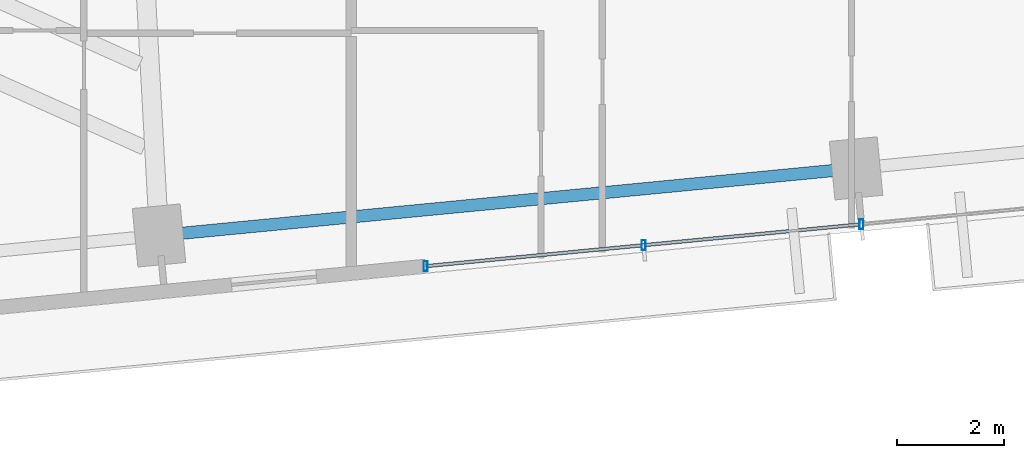
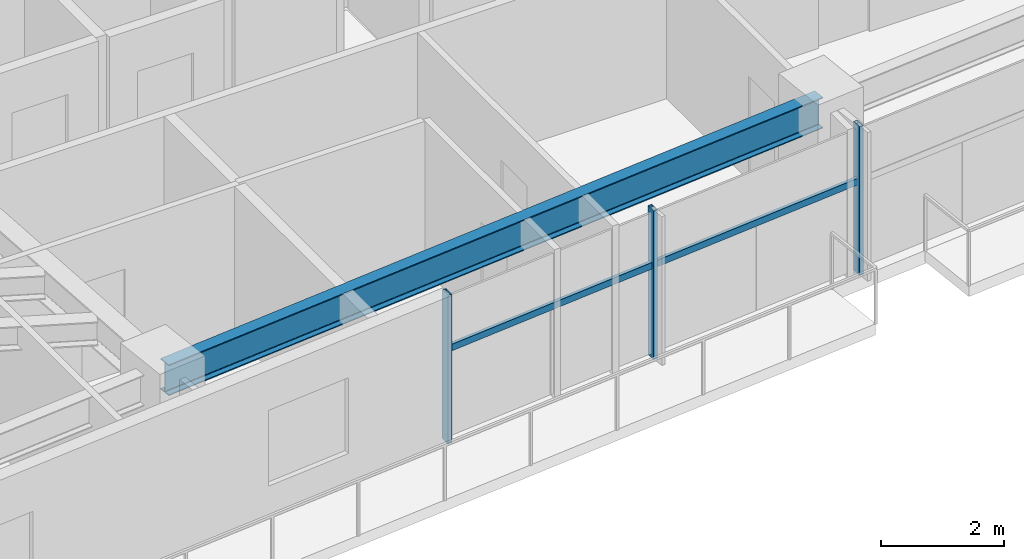
# One storey, part 6 of 25: 5 members, 1 beam, 1 element without a shape of its own.
"""IFC4 building model written with IfcOpenShell, lengths in metres."""

from ifc_helpers import new_model, si_unit, direction, frame, origin, origin_2d, place, context, subcontext, project, spatial, hollow_rectangle, i_section, extrude, source, transform, mapped, material, material_profile, profile_set, type_object, type_shapes, element, aggregate, save


model = new_model("IFC4")

# Units and contexts
model_context = context("Model", 3, precision=1e-05, world=origin(), true_north=direction((0.0, 1.0)))
body_context = subcontext(model_context, "Body", "Model", "MODEL_VIEW")
ifc_project = project(units=[si_unit("LENGTHUNIT", "METRE"), si_unit("AREAUNIT", "SQUARE_METRE"), si_unit("VOLUMEUNIT", "CUBIC_METRE"), si_unit("PLANEANGLEUNIT", "RADIAN"), si_unit("MASSUNIT", "GRAM", prefix="KILO")], contexts=[model_context])

# Site, building, storey
site_placement = place(None, origin())
site = spatial("IfcSite", under=ifc_project, at=site_placement, CompositionType="ELEMENT")
building_placement = place(site_placement, origin())
building = spatial("IfcBuilding", under=site, at=building_placement, Name="Astriad Promenade Condominiums", CompositionType="ELEMENT")
storey_placement = place(building_placement, frame((0.0, 0.0, 81.0)))
storey = spatial("IfcBuildingStorey", under=building, at=storey_placement, Name="L22", CompositionType="ELEMENT", Elevation=81.0)

# Beam
ifc_material_1 = material(Name="Steel ASTM A992 Grade 50", Category="steel")
ifc_material_profile_1 = material_profile(ifc_material_1, i_section(OverallWidth=0.22900390625, OverallDepth=0.612060546875, WebThickness=0.011962890625, FlangeThickness=0.01953125, FilletRadius=0.017822265625, at=origin_2d()), Name="W24X84")
ifc_profile_set_1 = profile_set([ifc_material_profile_1], Name="Steel ASTM A992 Grade 50")
beam_type = type_object("IfcBeamType", Name="STEEL SPANDREL BEAM W24X84", PredefinedType="SPANDREL", material=ifc_profile_set_1)
shared_shape_1 = source(origin(), body_context, "Body", "SweptSolid", [
    extrude(i_section(OverallWidth=0.22900390625, OverallDepth=0.612060546875, WebThickness=0.011962890625, FlangeThickness=0.01953125, FilletRadius=0.017822265625, at=origin_2d()), origin(), (0.0, 0.0, 1.0), 13.020263671875),
])
type_shapes(beam_type, [shared_shape_1])
beam_placement = place(storey_placement, frame((27.04541015625, 6.268798828125, 2.6337890625), z_axis=(0.995395311238, 0.095854965264, 0.0), x_axis=(-0.095854965264, 0.995395311238, 0.0)))
element("IfcBeam", 1, at=beam_placement, inside=storey, type_object=beam_type, Name="Perimeter Spandrel Beam SP-S2-L22", PredefinedType="SPANDREL", context=body_context, shape_type="MappedRepresentation", body=[
    mapped(shared_shape_1, transform((0.0, 0.0, 0.0), scale=1.0)),
])

# Curtain wall, members
ifc_material_2 = material(Name="Anodised aluminium Black Dark Glass Unitised", Category="aluminium")
curtain_wall_type = type_object("IfcCurtainWallType", Name="CW-B2-DARK", PredefinedType="USERDEFINED", material=ifc_material_2)
curtain_wall_placement = place(storey_placement, origin())
curtain_wall = element("IfcCurtainWall", 2, at=curtain_wall_placement, inside=storey, type_object=curtain_wall_type, Name="CW-L22-S", ObjectType="UNITISED_CURTAIN_WALL", PredefinedType="USERDEFINED")
ifc_material_3 = material(Name="Anodised aluminium 6063-T6 Black", Category="aluminium")
ifc_material_profile_2 = material_profile(ifc_material_3, hollow_rectangle(XDim=0.074951171875, YDim=0.18505859375, WallThickness=0.00439453125, at=origin_2d()), Name="ALU-MUL-75X185")
ifc_profile_set_2 = profile_set([ifc_material_profile_2], Name="Anodised aluminium 6063-T6 Black")
member_type_1 = type_object("IfcMemberType", Name="MUL-ALU-MUL-75X185", PredefinedType="MULLION", material=ifc_profile_set_2)
shared_shape_2 = source(origin(), body_context, "Body", "SweptSolid", [
    extrude(hollow_rectangle(XDim=0.074951171875, YDim=0.18505859375, WallThickness=0.00439453125, at=origin_2d()), origin(), (0.0, 0.0, 1.0), 2.93994140625),
])
type_shapes(member_type_1, [shared_shape_2])
member_1_placement = place(storey_placement, frame((40.14599609375, 6.475341796875, 0.0), z_axis=(0.0, 0.0, 1.0), x_axis=(1.0, 0.0, 0.0)))
member_1 = element("IfcMember", 3, at=member_1_placement, type_object=member_type_1, Name="CW-L22-S-MUL-02", PredefinedType="MULLION", context=body_context, shape_type="MappedRepresentation", body=[
    mapped(shared_shape_2, transform((0.0, 0.0, 0.0), scale=1.0)),
])
member_2_placement = place(storey_placement, frame((36.06982421875, 6.0830078125, 0.0), z_axis=(0.0, 0.0, 1.0), x_axis=(1.0, 0.0, 0.0)))
member_2 = element("IfcMember", 4, at=member_2_placement, type_object=member_type_1, Name="CW-L22-S-MUL-03", PredefinedType="MULLION", context=body_context, shape_type="MappedRepresentation", body=[
    mapped(shared_shape_2, transform((0.0, 0.0, 0.0), scale=1.0)),
])
member_3_placement = place(storey_placement, frame((31.99365234375, 5.6904296875, 0.0), z_axis=(0.0, 0.0, 1.0), x_axis=(1.0, 0.0, 0.0)))
member_3 = element("IfcMember", 5, at=member_3_placement, type_object=member_type_1, Name="CW-L22-S-MUL-04", PredefinedType="MULLION", context=body_context, shape_type="MappedRepresentation", body=[
    mapped(shared_shape_2, transform((0.0, 0.0, 0.0), scale=1.0)),
])
ifc_material_profile_3 = material_profile(ifc_material_3, hollow_rectangle(XDim=0.06494140625, YDim=0.1298828125, WallThickness=0.00390625, at=origin_2d()), Name="ALU-TRN-65X130")
ifc_profile_set_3 = profile_set([ifc_material_profile_3], Name="Anodised aluminium 6063-T6 Black")
member_type_2 = type_object("IfcMemberType", Name="TRN-ALU-TRN-65X130", PredefinedType="USERDEFINED", material=ifc_profile_set_3)
shared_shape_3 = source(origin(), body_context, "Body", "SweptSolid", [
    extrude(hollow_rectangle(XDim=0.06494140625, YDim=0.1298828125, WallThickness=0.00390625, at=origin_2d()), origin(), (0.0, 0.0, 1.0), 4.094970703125),
])
type_shapes(member_type_2, [shared_shape_3])
member_4_placement = place(storey_placement, frame((40.14599609375, 6.475341796875, 1.82275390625), z_axis=(-0.995399849002, -0.095807831657, 0.0), x_axis=(0.095807831657, -0.995399849002, 0.0)))
member_4 = element("IfcMember", 6, at=member_4_placement, type_object=member_type_2, Name="CW-L22-S-TRN-02-0", ObjectType="TRANSOM", PredefinedType="USERDEFINED", context=body_context, shape_type="MappedRepresentation", body=[
    mapped(shared_shape_3, transform((0.0, 0.0, 0.0), scale=1.0)),
])
member_5_placement = place(storey_placement, frame((36.06982421875, 6.0830078125, 1.82275390625), z_axis=(-0.995394161585, -0.09586690296, 0.0), x_axis=(0.09586690296, -0.995394161585, 0.0)))
member_5 = element("IfcMember", 7, at=member_5_placement, type_object=member_type_2, Name="CW-L22-S-TRN-03-0", ObjectType="TRANSOM", PredefinedType="USERDEFINED", context=body_context, shape_type="MappedRepresentation", body=[
    mapped(shared_shape_3, transform((0.0, 0.0, 0.0), scale=1.0)),
])
aggregate(curtain_wall, [member_1, member_2, member_3, member_4, member_5])

save(model, "model.ifc")
